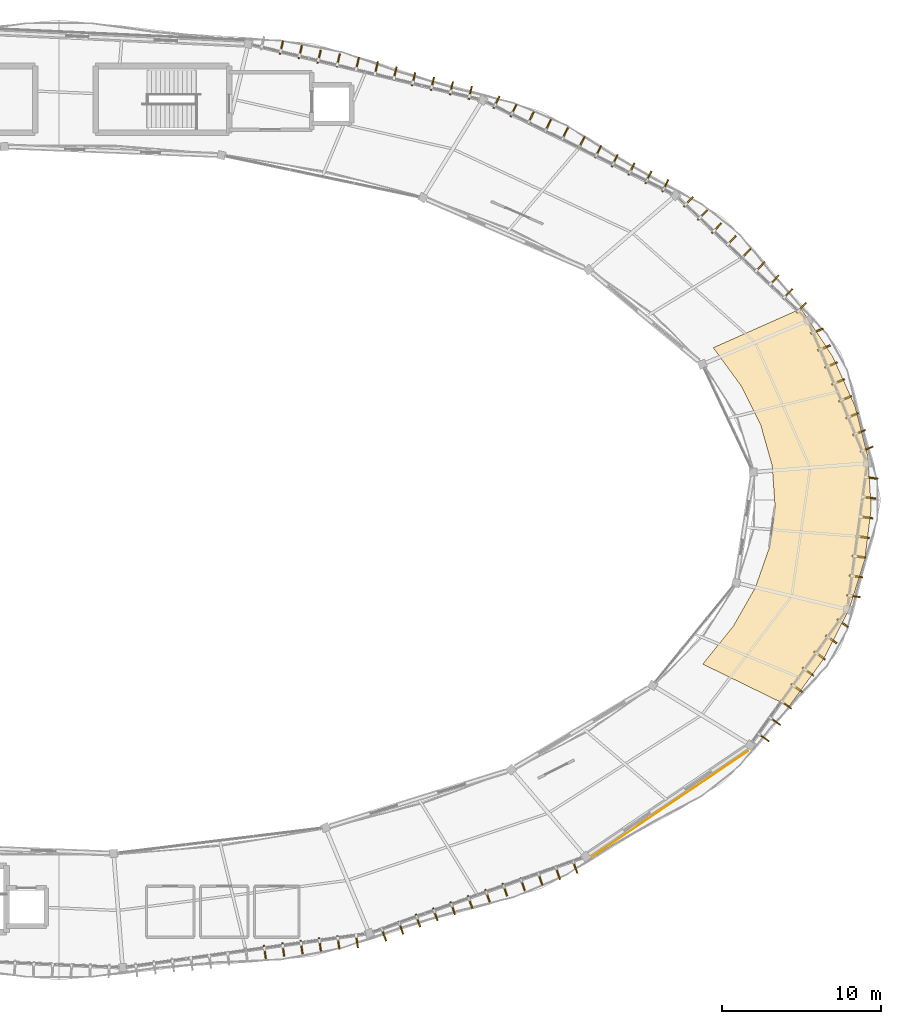
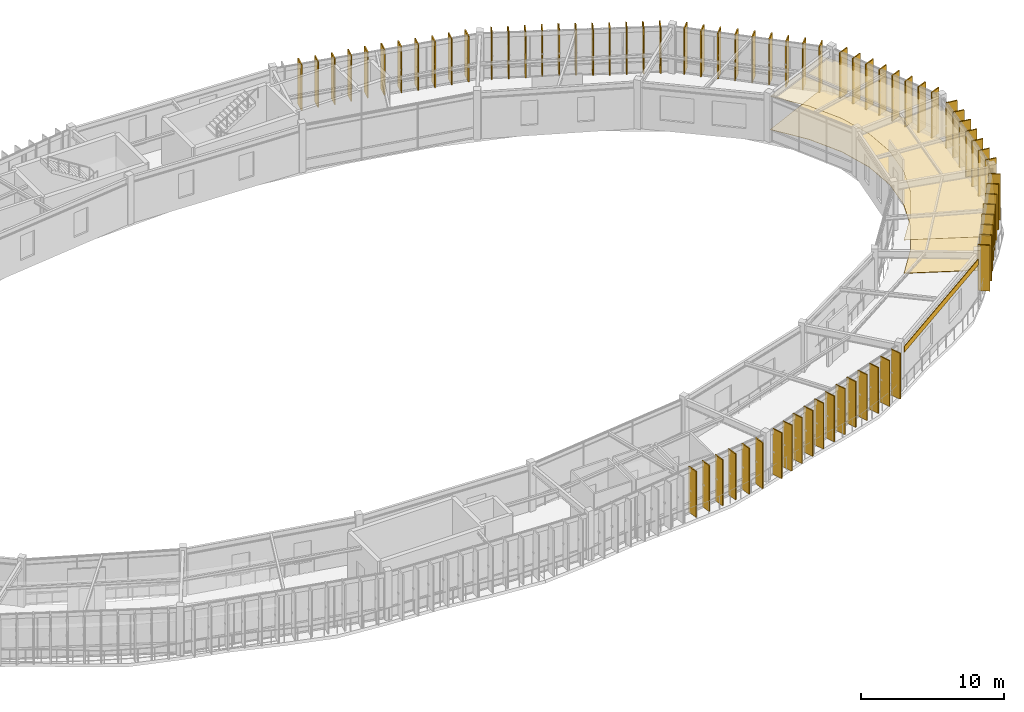
# One storey, part 78 of 78: 72 shading devices, 3 coverings.
"""IFC4 building model written with IfcOpenShell, lengths in metres."""

from ifc_helpers import new_model, si_unit, direction, frame, origin, origin_2d, place, context, subcontext, project, spatial, polyline, rectangle, outline, extrude, material, layer, layer_set, type_object, element, save


model = new_model("IFC4")

# Units and contexts
model_context = context("Model", 3, precision=1e-05, world=origin(), true_north=direction((0.0, 1.0)))
body_context = subcontext(model_context, "Body", "Model", "MODEL_VIEW")
ifc_project = project(units=[si_unit("LENGTHUNIT", "METRE"), si_unit("AREAUNIT", "SQUARE_METRE"), si_unit("VOLUMEUNIT", "CUBIC_METRE"), si_unit("PLANEANGLEUNIT", "RADIAN"), si_unit("MASSUNIT", "GRAM", prefix="KILO"), si_unit("THERMODYNAMICTEMPERATUREUNIT", "KELVIN"), si_unit("POWERUNIT", "WATT")], contexts=[model_context])

# Site, building, storey
site_placement = place(None, origin())
site = spatial("IfcSite", under=ifc_project, at=site_placement, CompositionType="ELEMENT")
building_placement = place(site_placement, origin())
building = spatial("IfcBuilding", under=site, at=building_placement, Name="Darbajah Civic Hall", CompositionType="ELEMENT")
storey_placement = place(building_placement, frame((0.0, 0.0, 26.39990234375)))
storey = spatial("IfcBuildingStorey", under=building, at=storey_placement, Name="L06", CompositionType="ELEMENT", Elevation=26.39990234375)

# Coverings
ifc_material_1 = material(Name="Honed Qatari Limestone Terrazzo", Category="masonry")
ifc_layer_1 = layer(ifc_material_1, 0.030029296875, Name="Honed Qatari Limestone Terrazzo")
ifc_layer_set_1 = layer_set([ifc_layer_1], Name="Honed Qatari Limestone Terrazzo")
covering_type_1 = type_object("IfcCoveringType", Name="Honed Qatari Limestone Terrazzo Flooring", PredefinedType="FLOORING", material=ifc_layer_set_1)
covering_1_placement = place(storey_placement, origin())
element("IfcCovering", 1, at=covering_1_placement, inside=storey, type_object=covering_type_1, Name="L06 stone terrazzo flooring L06-V1-02", PredefinedType="FLOORING", context=body_context, shape_type="SweptSolid", body=[
    extrude(outline(polyline([(135.0283203125, 76.82421875), (137.194091796875, 79.797607421875), (138.7880859375, 82.889892578125), (139.79150390625, 86.064453125), (140.192138671875, 89.283447265625), (139.985595703125, 92.50830078125), (139.17431640625, 95.701416015625), (137.767333984375, 98.823974609375), (135.7822265625, 101.83935546875), (130.255126953125, 99.378662109375), (132.00537109375, 96.9794921875), (133.24560546875, 94.4951171875), (133.9609375, 91.954833984375), (134.14306640625, 89.388916015625), (133.789794921875, 86.827880859375), (132.9052734375, 84.302490234375), (131.5, 81.842041015625), (129.5908203125, 79.476318359375), (135.0283203125, 76.82421875)])), origin(), (0.0, 0.0, 1.0), 0.030029296875),
])
ifc_material_2 = material(Name="Qatari Desert Limestone Ashlar", Category="masonry")
ifc_layer_2 = layer(ifc_material_2, 0.044921875, Name="Qatari Desert Limestone Ashlar")
ifc_layer_set_2 = layer_set([ifc_layer_2], Name="Qatari Desert Limestone Ashlar")
covering_type_2 = type_object("IfcCoveringType", Name="Limestone Facade Cladding", PredefinedType="CLADDING", material=ifc_layer_set_2)
covering_2_placement = place(storey_placement, frame((0.0, 0.0, 3.070068359375)))
element("IfcCovering", 2, at=covering_2_placement, inside=storey, type_object=covering_type_2, Name="L06 stone frieze cladding EW-V1O-L06-17", PredefinedType="CLADDING", context=body_context, shape_type="SweptSolid", body=[
    extrude(outline(polyline([(122.570068359375, 67.35009765625), (132.4267578125, 74.025634765625), (132.451904296875, 73.988525390625), (122.59521484375, 67.31298828125), (122.570068359375, 67.35009765625)])), origin(), (0.0, 0.0, 1.0), 0.5),
])
ifc_material_3 = material(Name="Perforated Acoustic Gypsum Board")
ifc_layer_3 = layer(ifc_material_3, 0.02490234375, Name="Perforated Acoustic Gypsum Board")
ifc_layer_set_3 = layer_set([ifc_layer_3], Name="Perforated Acoustic Gypsum Board")
covering_type_3 = type_object("IfcCoveringType", Name="Perforated Acoustic Gypsum Ceiling", PredefinedType="CEILING", material=ifc_layer_set_3)
covering_3_placement = place(storey_placement, frame((0.0, 0.0, 2.85009765625)))
element("IfcCovering", 3, at=covering_3_placement, inside=storey, type_object=covering_type_3, Name="L06 acoustic suspended ceiling L06-V1-02", PredefinedType="CEILING", context=body_context, shape_type="SweptSolid", body=[
    extrude(outline(polyline([(135.0283203125, 76.82421875), (137.194091796875, 79.797607421875), (138.7880859375, 82.889892578125), (139.79150390625, 86.064453125), (140.192138671875, 89.283447265625), (139.985595703125, 92.50830078125), (139.17431640625, 95.701416015625), (137.767333984375, 98.823974609375), (135.7822265625, 101.83935546875), (130.255126953125, 99.378662109375), (132.00537109375, 96.9794921875), (133.24560546875, 94.4951171875), (133.9609375, 91.954833984375), (134.14306640625, 89.388916015625), (133.789794921875, 86.827880859375), (132.9052734375, 84.302490234375), (131.5, 81.842041015625), (129.5908203125, 79.476318359375), (135.0283203125, 76.82421875)])), origin(), (0.0, 0.0, 1.0), 0.02490234375),
])

# Shading devices
ifc_material_4 = material(Name="Bronze Anodised Aluminium and Teak Composite", Category="aluminium")
shading_device_type = type_object("IfcShadingDeviceType", Name="Vertical Bronze Timber Shading Fin", PredefinedType="USERDEFINED", material=ifc_material_4)
for number, where, z_axis, x_axis, name in (
    (4, (139.9091796875, 92.996826171875, 0.000244140625), (0.0, 0.0, 1.0), (0.923612143954, 0.383328328644, 0.0), "L06 vertical shading fin VF-00-1"),
    (5, (139.4287109375, 94.044189453125, 0.000244140625), (0.0, 0.0, 1.0), (0.923612143954, 0.383328328644, 0.0), "L06 vertical shading fin VF-00-2"),
    (6, (138.9873046875, 95.10791015625, 0.000244140625), (0.0, 0.0, 1.0), (0.923612143954, 0.383328328644, 0.0), "L06 vertical shading fin VF-00-3"),
    (7, (138.5458984375, 96.171630859375, 0.000244140625), (0.0, 0.0, 1.0), (0.923612143954, 0.383328328644, 0.0), "L06 vertical shading fin VF-00-4"),
    (8, (138.1044921875, 97.2353515625, 0.000244140625), (0.0, 0.0, 1.0), (0.923612143954, 0.383328328644, 0.0), "L06 vertical shading fin VF-00-5"),
    (9, (137.662841796875, 98.298828125, 0.000244140625), (0.0, 0.0, 1.0), (0.923612143954, 0.383328328644, 0.0), "L06 vertical shading fin VF-00-6"),
    (10, (137.221435546875, 99.362548828125, 0.000244140625), (0.0, 0.0, 1.0), (0.923612143954, 0.383328328644, 0.0), "L06 vertical shading fin VF-00-7"),
    (11, (136.780029296875, 100.42626953125, 0.000244140625), (0.0, 0.0, 1.0), (0.923612143954, 0.383328328644, 0.0), "L06 vertical shading fin VF-00-8"),
    (12, (135.797119140625, 101.897705078125, 0.000244140625), (0.0, 0.0, 1.0), (0.686453193248, 0.727173991201, 0.0), "L06 vertical shading fin VF-01-1"),
    (13, (134.94677734375, 102.77099609375, 0.000244140625), (0.0, 0.0, 1.0), (0.686453193248, 0.727173991201, 0.0), "L06 vertical shading fin VF-01-2"),
    (14, (134.08544921875, 103.632568359375, 0.000244140625), (0.0, 0.0, 1.0), (0.686453193248, 0.727173991201, 0.0), "L06 vertical shading fin VF-01-3"),
    (15, (133.206787109375, 104.476318359375, 0.000244140625), (0.0, 0.0, 1.0), (0.686453193248, 0.727173991201, 0.0), "L06 vertical shading fin VF-01-4"),
    (16, (132.30859375, 105.298583984375, 0.000244140625), (0.0, 0.0, 1.0), (0.686453193248, 0.727173991201, 0.0), "L06 vertical shading fin VF-01-5"),
    (17, (131.391845703125, 106.101806640625, 0.000244140625), (0.0, 0.0, 1.0), (0.686453193248, 0.727173991201, 0.0), "L06 vertical shading fin VF-01-6"),
    (18, (130.462890625, 106.8916015625, 0.000244140625), (0.0, 0.0, 1.0), (0.686453193248, 0.727173991201, 0.0), "L06 vertical shading fin VF-01-7"),
    (19, (129.57421875, 107.724609375, 0.000244140625), (0.0, 0.0, 1.0), (0.686453193248, 0.727173991201, 0.0), "L06 vertical shading fin VF-01-8"),
    (20, (128.688720703125, 108.560302734375, 0.000244140625), (0.0, 0.0, 1.0), (0.686453193248, 0.727173991201, 0.0), "L06 vertical shading fin VF-01-9"),
    (21, (127.2412109375, 109.5703125, 0.000244140625), (0.0, 0.0, 1.0), (0.442914717678, 0.89656374724, 0.0), "L06 vertical shading fin VF-02-1"),
    (22, (126.17919921875, 110.0947265625, 0.000244140625), (0.0, 0.0, 1.0), (0.442914717678, 0.89656374724, 0.0), "L06 vertical shading fin VF-02-2"),
    (23, (125.1171875, 110.619384765625, 0.000244140625), (0.0, 0.0, 1.0), (0.442914717678, 0.89656374724, 0.0), "L06 vertical shading fin VF-02-3"),
    (24, (124.055419921875, 111.14404296875, 0.000244140625), (0.0, 0.0, 1.0), (0.442914717678, 0.89656374724, 0.0), "L06 vertical shading fin VF-02-4"),
    (25, (123.014404296875, 111.711669921875, 0.000244140625), (0.0, 0.0, 1.0), (0.442914717678, 0.89656374724, 0.0), "L06 vertical shading fin VF-02-5"),
    (26, (121.97705078125, 112.28564453125, 0.000244140625), (0.0, 0.0, 1.0), (0.442914717678, 0.89656374724, 0.0), "L06 vertical shading fin VF-02-6"),
    (27, (120.92724609375, 112.834716796875, 0.000244140625), (0.0, 0.0, 1.0), (0.442914717678, 0.89656374724, 0.0), "L06 vertical shading fin VF-02-7"),
    (28, (119.860595703125, 113.35009765625, 0.000244140625), (0.0, 0.0, 1.0), (0.442914717678, 0.89656374724, 0.0), "L06 vertical shading fin VF-02-8"),
    (29, (118.77734375, 113.831787109375, 0.000244140625), (0.0, 0.0, 1.0), (0.442914717678, 0.89656374724, 0.0), "L06 vertical shading fin VF-02-9"),
    (30, (117.68359375, 114.2919921875, 0.000244140625), (0.0, 0.0, 1.0), (0.442914717678, 0.89656374724, 0.0), "L06 vertical shading fin VF-02-10"),
    (31, (116.62158203125, 114.816650390625, 0.000244140625), (0.0, 0.0, 1.0), (0.442914717678, 0.89656374724, 0.0), "L06 vertical shading fin VF-02-11"),
    (32, (114.97021484375, 115.41162109375, 0.000244140625), (0.0, 0.0, 1.0), (0.232936200179, 0.972492018808, 0.0), "L06 vertical shading fin VF-03-1"),
    (33, (113.78271484375, 115.696044921875, 0.000244140625), (0.0, 0.0, 1.0), (0.232936200179, 0.972492018808, 0.0), "L06 vertical shading fin VF-03-2"),
    (34, (112.594970703125, 115.980712890625, 0.000244140625), (0.0, 0.0, 1.0), (0.232936200179, 0.972492018808, 0.0), "L06 vertical shading fin VF-03-3"),
    (35, (111.408203125, 116.268310546875, 0.000244140625), (0.0, 0.0, 1.0), (0.232936200179, 0.972492018808, 0.0), "L06 vertical shading fin VF-03-4"),
    (36, (110.2392578125, 116.630859375, 0.000244140625), (0.0, 0.0, 1.0), (0.232936200179, 0.972492018808, 0.0), "L06 vertical shading fin VF-03-5"),
    (37, (109.06201171875, 116.95947265625, 0.000244140625), (0.0, 0.0, 1.0), (0.232936200179, 0.972492018808, 0.0), "L06 vertical shading fin VF-03-6"),
    (38, (107.87158203125, 117.231689453125, 0.000244140625), (0.0, 0.0, 1.0), (0.232936200179, 0.972492018808, 0.0), "L06 vertical shading fin VF-03-7"),
    (39, (106.667724609375, 117.44873046875, 0.000244140625), (0.0, 0.0, 1.0), (0.232936200179, 0.972492018808, 0.0), "L06 vertical shading fin VF-03-8"),
    (40, (105.46923828125, 117.68798828125, 0.000244140625), (0.0, 0.0, 1.0), (0.232936200179, 0.972492018808, 0.0), "L06 vertical shading fin VF-03-9"),
    (41, (104.281494140625, 117.972412109375, 0.000244140625), (0.0, 0.0, 1.0), (0.232936200179, 0.972492018808, 0.0), "L06 vertical shading fin VF-03-10"),
    (42, (103.093994140625, 118.257080078125, 0.000244140625), (0.0, 0.0, 1.0), (0.232936200179, 0.972492018808, 0.0), "L06 vertical shading fin VF-03-11"),
    (43, (102.05078125, 61.3662109375, 0.000244140625), (0.0, 0.0, 1.0), (0.137617420457, -0.990485459553, 0.0), "L06 vertical shading fin VF-15-8"),
    (44, (103.205810546875, 61.526611328125, 0.000244140625), (0.0, 0.0, 1.0), (0.137617420457, -0.990485459553, 0.0), "L06 vertical shading fin VF-15-9"),
    (45, (104.36083984375, 61.68701171875, 0.000244140625), (0.0, 0.0, 1.0), (0.137617420457, -0.990485459553, 0.0), "L06 vertical shading fin VF-15-10"),
    (46, (105.51611328125, 61.847412109375, 0.000244140625), (0.0, 0.0, 1.0), (0.137617420457, -0.990485459553, 0.0), "L06 vertical shading fin VF-15-11"),
    (47, (106.6767578125, 61.966796875, 0.000244140625), (0.0, 0.0, 1.0), (0.137617420457, -0.990485459553, 0.0), "L06 vertical shading fin VF-15-12"),
    (48, (107.84130859375, 62.060302734375, 0.000244140625), (0.0, 0.0, 1.0), (0.137617420457, -0.990485459553, 0.0), "L06 vertical shading fin VF-15-13"),
    (49, (109.531494140625, 62.457275390625, 0.000244140625), (0.0, 0.0, 1.0), (0.334135882844, -0.94252491309, 0.0), "L06 vertical shading fin VF-16-1"),
    (50, (110.607666015625, 62.8955078125, 0.000244140625), (0.0, 0.0, 1.0), (0.334135882844, -0.94252491309, 0.0), "L06 vertical shading fin VF-16-2"),
    (51, (111.678466796875, 63.349609375, 0.000244140625), (0.0, 0.0, 1.0), (0.334135882844, -0.94252491309, 0.0), "L06 vertical shading fin VF-16-3"),
    (52, (112.7724609375, 63.7373046875, 0.000244140625), (0.0, 0.0, 1.0), (0.334135882844, -0.94252491309, 0.0), "L06 vertical shading fin VF-16-4"),
    (53, (113.86669921875, 64.125244140625, 0.000244140625), (0.0, 0.0, 1.0), (0.334135882844, -0.94252491309, 0.0), "L06 vertical shading fin VF-16-5"),
    (54, (114.9609375, 64.51318359375, 0.000244140625), (0.0, 0.0, 1.0), (0.334135882844, -0.94252491309, 0.0), "L06 vertical shading fin VF-16-6"),
    (55, (116.054931640625, 64.90087890625, 0.000244140625), (0.0, 0.0, 1.0), (0.334135882844, -0.94252491309, 0.0), "L06 vertical shading fin VF-16-7"),
    (56, (117.149169921875, 65.288818359375, 0.000244140625), (0.0, 0.0, 1.0), (0.334135882844, -0.94252491309, 0.0), "L06 vertical shading fin VF-16-8"),
    (57, (118.258544921875, 65.633544921875, 0.000244140625), (0.0, 0.0, 1.0), (0.334135882844, -0.94252491309, 0.0), "L06 vertical shading fin VF-16-9"),
    (58, (119.37158203125, 65.96826171875, 0.000244140625), (0.0, 0.0, 1.0), (0.334135882844, -0.94252491309, 0.0), "L06 vertical shading fin VF-16-10"),
    (59, (120.47509765625, 66.330078125, 0.000244140625), (0.0, 0.0, 1.0), (0.334135882844, -0.94252491309, 0.0), "L06 vertical shading fin VF-16-11"),
    (60, (121.5673828125, 66.722900390625, 0.000244140625), (0.0, 0.0, 1.0), (0.334135882844, -0.94252491309, 0.0), "L06 vertical shading fin VF-16-12"),
    (61, (133.415283203125, 74.868896484375, 0.000244140625), (0.0, 0.0, 1.0), (0.812999149039, -0.582264874145, 0.0), "L06 vertical shading fin VF-18-1"),
    (62, (134.13720703125, 75.886962890625, 0.000244140625), (0.0, 0.0, 1.0), (0.812999149039, -0.582264874145, 0.0), "L06 vertical shading fin VF-18-2"),
    (63, (134.8330078125, 76.923583984375, 0.000244140625), (0.0, 0.0, 1.0), (0.812999149039, -0.582264874145, 0.0), "L06 vertical shading fin VF-18-3"),
    (64, (135.511474609375, 77.97265625, 0.000244140625), (0.0, 0.0, 1.0), (0.812999149039, -0.582264874145, 0.0), "L06 vertical shading fin VF-18-4"),
    (65, (136.216552734375, 79.0029296875, 0.000244140625), (0.0, 0.0, 1.0), (0.812999149039, -0.582264874145, 0.0), "L06 vertical shading fin VF-18-5"),
    (66, (136.943115234375, 80.017578125, 0.000244140625), (0.0, 0.0, 1.0), (0.812999149039, -0.582264874145, 0.0), "L06 vertical shading fin VF-18-6"),
    (67, (137.669677734375, 81.0322265625, 0.000244140625), (0.0, 0.0, 1.0), (0.812999149039, -0.582264874145, 0.0), "L06 vertical shading fin VF-18-7"),
    (68, (138.396240234375, 82.046875, 0.000244140625), (0.0, 0.0, 1.0), (0.812999149039, -0.582264874145, 0.0), "L06 vertical shading fin VF-18-8"),
    (69, (139.072021484375, 83.748779296875, 0.000244140625), (0.0, 0.0, 1.0), (0.990865897387, -0.134850930274, 0.0), "L06 vertical shading fin VF-19-1"),
    (70, (139.2412109375, 84.991943359375, 0.000244140625), (0.0, 0.0, 1.0), (0.990865897387, -0.134850930274, 0.0), "L06 vertical shading fin VF-19-2"),
    (71, (139.42724609375, 86.23291015625, 0.000244140625), (0.0, 0.0, 1.0), (0.990865897387, -0.134850930274, 0.0), "L06 vertical shading fin VF-19-3"),
    (72, (139.657470703125, 87.467529296875, 0.000244140625), (0.0, 0.0, 1.0), (0.990865897387, -0.134850930274, 0.0), "L06 vertical shading fin VF-19-4"),
    (73, (139.867431640625, 88.705078125, 0.000244140625), (0.0, 0.0, 1.0), (0.990865897387, -0.134850930274, 0.0), "L06 vertical shading fin VF-19-5"),
    (74, (140.047607421875, 89.94677734375, 0.000244140625), (0.0, 0.0, 1.0), (0.990865897387, -0.134850930274, 0.0), "L06 vertical shading fin VF-19-6"),
    (75, (140.19580078125, 91.192626953125, 0.000244140625), (0.0, 0.0, 1.0), (0.990865897387, -0.134850930274, 0.0), "L06 vertical shading fin VF-19-7"),
):
    element("IfcShadingDevice", number, at=place(storey_placement, frame(where, z_axis=z_axis, x_axis=x_axis)), inside=storey, type_object=shading_device_type, Name=name, ObjectType="VERTICAL FIN", PredefinedType="USERDEFINED", context=body_context, shape_type="SweptSolid", body=[
        extrude(rectangle(XDim=0.85009765625, YDim=0.090087890625, at=origin_2d()), origin(), (0.0, 0.0, 1.0), 3.919921875),
    ])

save(model, "model.ifc")
